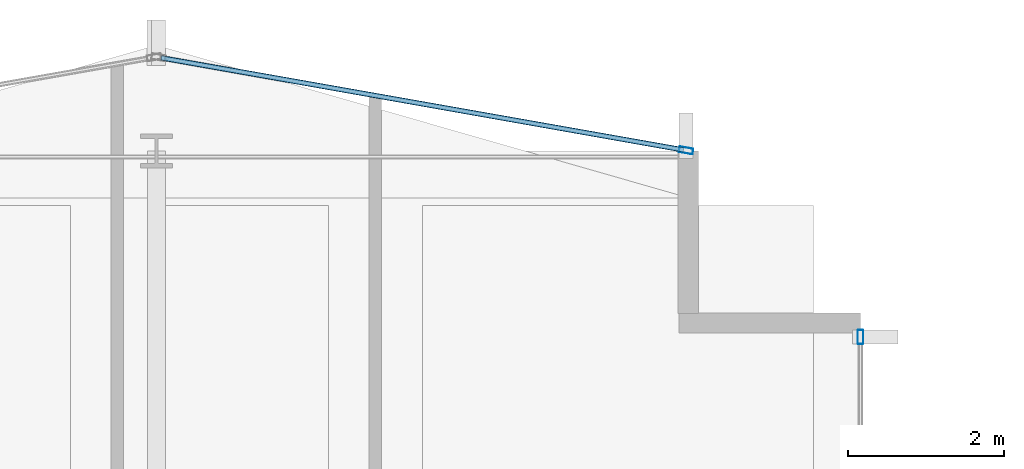
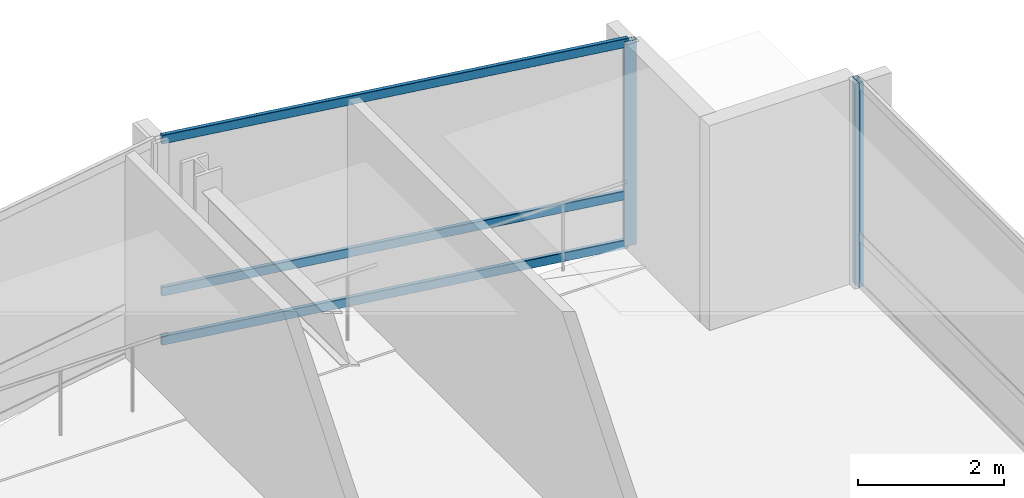
# One storey, part 20 of 29: 5 members, 2 elements without a shape of their own.
"""IFC4 building model written with IfcOpenShell, lengths in metres."""

from ifc_helpers import new_model, si_unit, direction, frame, origin, origin_2d, place, context, subcontext, project, spatial, hollow_rectangle, extrude, material, layer, layer_set, material_profile, profile_set, type_object, element, aggregate, save


model = new_model("IFC4")

# Units and contexts
model_context = context("Model", 3, precision=1e-05, world=origin(), true_north=direction((0.0, 1.0)))
body_context = subcontext(model_context, "Body", "Model", "MODEL_VIEW")
ifc_project = project(units=[si_unit("LENGTHUNIT", "METRE"), si_unit("AREAUNIT", "SQUARE_METRE"), si_unit("VOLUMEUNIT", "CUBIC_METRE"), si_unit("PLANEANGLEUNIT", "RADIAN"), si_unit("MASSUNIT", "GRAM", prefix="KILO")], contexts=[model_context])

# Site, building, storey
site_placement = place(None, origin())
site = spatial("IfcSite", under=ifc_project, at=site_placement, CompositionType="ELEMENT")
building_placement = place(site_placement, origin())
building = spatial("IfcBuilding", under=site, at=building_placement, Name="Solvaryn Broadcast Tower", CompositionType="ELEMENT")
storey_placement = place(building_placement, frame((0.0, 0.0, 139.60009765625)))
storey = spatial("IfcBuildingStorey", under=building, at=storey_placement, Name="L34", CompositionType="ELEMENT", Elevation=139.60009765625)

# Curtain wall, member
ifc_material_1 = material(Name="Aluminium and Terracotta Unitised Curtain Wall", Category="masonry")
ifc_layer = layer(ifc_material_1, 0.199951171875)
ifc_layer_set = layer_set([ifc_layer], Name="CW-SYS2-LOWMID")
curtain_wall_type = type_object("IfcCurtainWallType", Name="CW-SYS2-LOWMID", PredefinedType="NOTDEFINED", material=ifc_layer_set)
curtain_wall_1_placement = place(storey_placement, origin())
curtain_wall_1 = element("IfcCurtainWall", 1, at=curtain_wall_1_placement, inside=storey, type_object=curtain_wall_type, Name="L34 Curtain Wall IV", PredefinedType="NOTDEFINED")
ifc_material_2 = material(Name="Anodised Aluminium 6063-T6", Category="aluminium")
ifc_material_profile_1 = material_profile(ifc_material_2, hollow_rectangle(XDim=0.074951171875, YDim=0.179931640625, WallThickness=0.00390625, InnerFilletRadius=0.00390625, OuterFilletRadius=0.008056640625, at=origin_2d()))
ifc_profile_set_1 = profile_set([ifc_material_profile_1], Name="Anodised Aluminium 6063-T6")
member_type_1 = type_object("IfcMemberType", Name="CW-MUL-180", PredefinedType="MULLION", material=ifc_profile_set_1)
member_1_placement = place(storey_placement, frame((27.0, 51.6201171875, 0.0), z_axis=(0.0, 0.0, 1.0), x_axis=(1.0, 0.0, 0.0)))
member_1 = element("IfcMember", 2, at=member_1_placement, type_object=member_type_1, Name="CWS2 mullion 1", PredefinedType="MULLION", context=body_context, shape_type="SweptSolid", body=[
    extrude(hollow_rectangle(XDim=0.074951171875, YDim=0.179931640625, WallThickness=0.00390625, InnerFilletRadius=0.00390625, OuterFilletRadius=0.008056640625, at=origin_2d()), origin(), (0.0, 0.0, 1.0), 3.419921875),
])
aggregate(curtain_wall_1, [member_1])

# Curtain wall, members
curtain_wall_2_placement = place(storey_placement, origin())
curtain_wall_2 = element("IfcCurtainWall", 3, at=curtain_wall_2_placement, inside=storey, type_object=curtain_wall_type, Name="L34 Curtain Wall NT1", PredefinedType="NOTDEFINED")
member_2_placement = place(storey_placement, frame((24.7705078125, 54.005126953125, 0.0), z_axis=(0.0, 0.0, 1.0), x_axis=(-0.173785333901, -0.984783558819, 0.0)))
member_2 = element("IfcMember", 4, at=member_2_placement, type_object=member_type_1, Name="CWS2 mullion 1", PredefinedType="MULLION", context=body_context, shape_type="SweptSolid", body=[
    extrude(hollow_rectangle(XDim=0.074951171875, YDim=0.179931640625, WallThickness=0.00390625, InnerFilletRadius=0.00390625, OuterFilletRadius=0.008056640625, at=origin_2d()), origin(), (0.0, 0.0, 1.0), 3.419921875),
])
ifc_material_3 = material(Name="Anodised Aluminium 6063-T6", Category="aluminium")
ifc_material_profile_2 = material_profile(ifc_material_3, hollow_rectangle(XDim=0.06494140625, YDim=0.14990234375, WallThickness=0.00390625, InnerFilletRadius=0.00390625, OuterFilletRadius=0.008056640625, at=origin_2d()))
ifc_profile_set_2 = profile_set([ifc_material_profile_2], Name="Anodised Aluminium 6063-T6")
member_type_2 = type_object("IfcMemberType", Name="CW-TRN-150", PredefinedType="USERDEFINED", material=ifc_profile_set_2)
member_3_placement = place(storey_placement, frame((24.740966796875, 54.010498046875, 0.02978515625), z_axis=(-0.984788629673, 0.173756596613, 0.0), x_axis=(-0.173756596613, -0.984788629673, 0.0)))
member_3 = element("IfcMember", 5, at=member_3_placement, type_object=member_type_2, Name="CWS2 transom 1.1", ObjectType="TRANSOM", PredefinedType="USERDEFINED", context=body_context, shape_type="SweptSolid", body=[
    extrude(hollow_rectangle(XDim=0.06494140625, YDim=0.14990234375, WallThickness=0.00390625, InnerFilletRadius=0.00390625, OuterFilletRadius=0.008056640625, at=origin_2d()), origin(), (0.0, 0.0, 1.0), 6.78515625),
])
member_4_placement = place(storey_placement, frame((24.740966796875, 54.010498046875, 0.849853515625), z_axis=(-0.984788629673, 0.173756596613, 0.0), x_axis=(-0.173756596613, -0.984788629673, 0.0)))
member_4 = element("IfcMember", 6, at=member_4_placement, type_object=member_type_2, Name="CWS2 transom 1.2", ObjectType="TRANSOM", PredefinedType="USERDEFINED", context=body_context, shape_type="SweptSolid", body=[
    extrude(hollow_rectangle(XDim=0.06494140625, YDim=0.14990234375, WallThickness=0.00390625, InnerFilletRadius=0.00390625, OuterFilletRadius=0.008056640625, at=origin_2d()), origin(), (0.0, 0.0, 1.0), 6.78515625),
])
member_5_placement = place(storey_placement, frame((24.740966796875, 54.010498046875, 3.389892578125), z_axis=(-0.984788629673, 0.173756596613, 0.0), x_axis=(-0.173756596613, -0.984788629673, 0.0)))
member_5 = element("IfcMember", 7, at=member_5_placement, type_object=member_type_2, Name="CWS2 transom 1.3", ObjectType="TRANSOM", PredefinedType="USERDEFINED", context=body_context, shape_type="SweptSolid", body=[
    extrude(hollow_rectangle(XDim=0.06494140625, YDim=0.14990234375, WallThickness=0.00390625, InnerFilletRadius=0.00390625, OuterFilletRadius=0.008056640625, at=origin_2d()), origin(), (0.0, 0.0, 1.0), 6.78515625),
])
aggregate(curtain_wall_2, [member_2, member_3, member_4, member_5])

save(model, "model.ifc")
